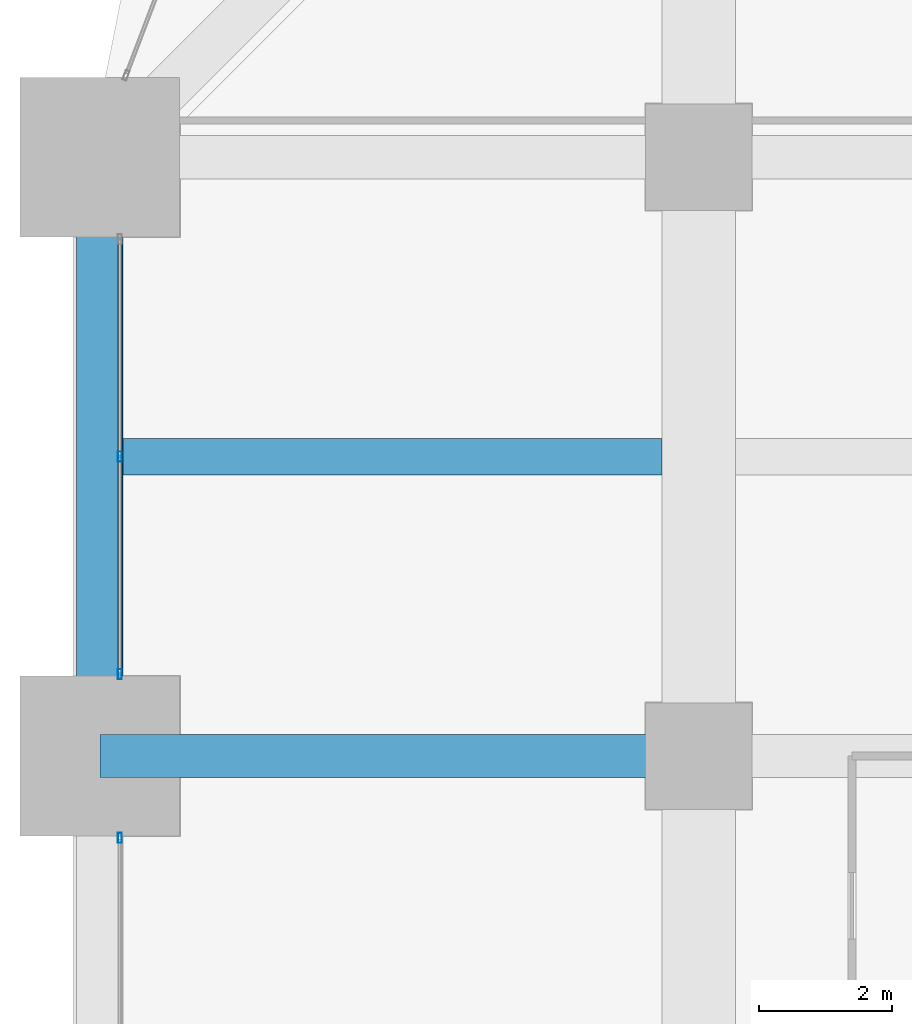
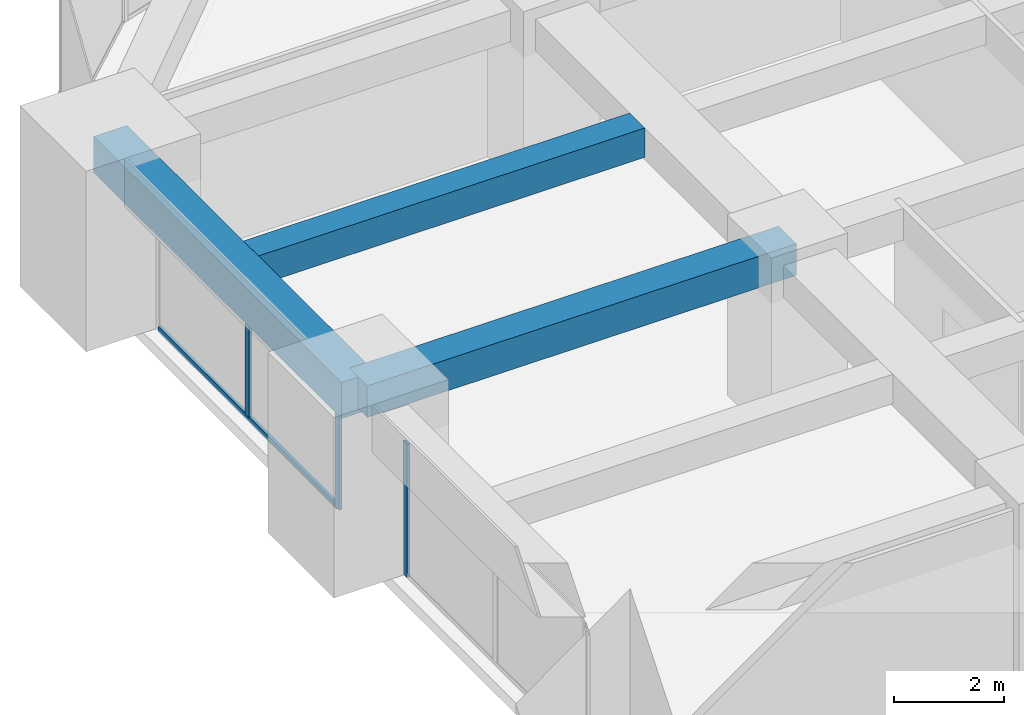
# One storey, part 11 of 33: 4 members, 3 beams, 2 elements without a shape of their own.
"""IFC4 building model written with IfcOpenShell, lengths in metres."""

from ifc_helpers import new_model, si_unit, direction, frame, origin, origin_2d, place, context, subcontext, project, spatial, rectangle, hollow_rectangle, extrude, material, material_profile, profile_set, type_object, element, aggregate, save


model = new_model("IFC4")

# Units and contexts
model_context = context("Model", 3, precision=1e-05, world=origin(), true_north=direction((0.0, 1.0)))
body_context = subcontext(model_context, "Body", "Model", "MODEL_VIEW")
ifc_project = project(units=[si_unit("LENGTHUNIT", "METRE"), si_unit("AREAUNIT", "SQUARE_METRE"), si_unit("VOLUMEUNIT", "CUBIC_METRE"), si_unit("PLANEANGLEUNIT", "RADIAN"), si_unit("MASSUNIT", "GRAM", prefix="KILO")], contexts=[model_context])

# Site, building, storey
site_placement = place(None, origin())
site = spatial("IfcSite", under=ifc_project, at=site_placement, CompositionType="ELEMENT")
building_placement = place(site_placement, origin())
building = spatial("IfcBuilding", under=site, at=building_placement, Name="Zorevar Civic Tower", CompositionType="ELEMENT")
storey_placement = place(building_placement, frame((0.0, 0.0, 178.199951171875)))
storey = spatial("IfcBuildingStorey", under=building, at=storey_placement, Name="L43", CompositionType="ELEMENT", Elevation=178.199951171875)

# Beams
ifc_material_1 = material(Name="Concrete C50/60", Category="concrete")
ifc_material_profile_1 = material_profile(ifc_material_1, rectangle(XDim=0.550048828125, YDim=0.64990234375, at=origin_2d()), Name="RC 550x650")
ifc_profile_set_1 = profile_set([ifc_material_profile_1], Name="Concrete C50/60")
beam_type_1 = type_object("IfcBeamType", Name="Beam RC 550x650", PredefinedType="BEAM", material=ifc_profile_set_1)
beam_1_placement = place(storey_placement, frame((0.35009765625, 31.5, 3.425048828125), z_axis=(1.0, 0.0, 0.0), x_axis=(0.0, 1.0, 0.0)))
element("IfcBeam", 1, at=beam_1_placement, inside=storey, type_object=beam_type_1, Name="Secondary beam L44", PredefinedType="BEAM", context=body_context, shape_type="SweptSolid", body=[
    extrude(rectangle(XDim=0.550048828125, YDim=0.64990234375, at=origin_2d()), origin(), (0.0, 0.0, 1.0), 8.099853515625),
])
ifc_material_2 = material(Name="Concrete C50/60", Category="concrete")
ifc_material_profile_2 = material_profile(ifc_material_2, rectangle(XDim=0.64990234375, YDim=0.699951171875, at=origin_2d()), Name="RC 650x700")
ifc_profile_set_2 = profile_set([ifc_material_profile_2], Name="Concrete C50/60")
beam_type_2 = type_object("IfcBeamType", Name="Beam RC 650x700", PredefinedType="BEAM", material=ifc_profile_set_2)
beam_2_placement = place(storey_placement, frame((0.0, 27.0, 3.400146484375), z_axis=(1.0, 0.0, 0.0), x_axis=(0.0, 1.0, 0.0)))
element("IfcBeam", 2, at=beam_2_placement, inside=storey, type_object=beam_type_2, Name="Girder L44", PredefinedType="BEAM", context=body_context, shape_type="SweptSolid", body=[
    extrude(rectangle(XDim=0.64990234375, YDim=0.699951171875, at=origin_2d()), origin(), (0.0, 0.0, 1.0), 9.0),
])

# Curtain wall, member
ifc_material_3 = material(Name="Dark grey solar-control glass in black aluminium frame", Category="aluminium")
curtain_wall_type = type_object("IfcCurtainWallType", Name="Curtain wall CW4 high zone", PredefinedType="NOTDEFINED", material=ifc_material_3)
curtain_wall_1_placement = place(storey_placement, origin())
curtain_wall_1 = element("IfcCurtainWall", 3, at=curtain_wall_1_placement, inside=storey, type_object=curtain_wall_type, Name="CW4 L43", PredefinedType="NOTDEFINED")
ifc_material_4 = material(Name="Aluminium, black anodised", Category="aluminium")
ifc_material_profile_3 = material_profile(ifc_material_4, hollow_rectangle(XDim=0.06005859375, YDim=0.14990234375, WallThickness=0.00390625, at=origin_2d()), Name="AL 150x60x4")
ifc_profile_set_3 = profile_set([ifc_material_profile_3], Name="Aluminium, black anodised")
member_type_1 = type_object("IfcMemberType", Name="CW4 mullion AL 150x60x4", PredefinedType="MULLION", material=ifc_profile_set_3)
member_1_placement = place(storey_placement, frame((0.300048828125, 25.77001953125, 0.0), z_axis=(0.0, 0.0, 1.0), x_axis=(-1.0, 0.0, 0.0)))
member_1 = element("IfcMember", 4, at=member_1_placement, type_object=member_type_1, Name="CW4 mullion 3", PredefinedType="MULLION", context=body_context, shape_type="SweptSolid", body=[
    extrude(hollow_rectangle(XDim=0.06005859375, YDim=0.14990234375, WallThickness=0.00390625, at=origin_2d()), origin(), (0.0, 0.0, 1.0), 2.949951171875),
])
aggregate(curtain_wall_1, [member_1])

# Curtain wall, members
curtain_wall_2_placement = place(storey_placement, origin())
curtain_wall_2 = element("IfcCurtainWall", 5, at=curtain_wall_2_placement, inside=storey, type_object=curtain_wall_type, Name="CW4 L43", PredefinedType="NOTDEFINED")
member_2_placement = place(storey_placement, frame((0.300048828125, 28.22998046875, 0.0), z_axis=(0.0, 0.0, 1.0), x_axis=(-1.0, 0.0, 0.0)))
member_2 = element("IfcMember", 6, at=member_2_placement, type_object=member_type_1, Name="CW4 mullion 1", PredefinedType="MULLION", context=body_context, shape_type="SweptSolid", body=[
    extrude(hollow_rectangle(XDim=0.06005859375, YDim=0.14990234375, WallThickness=0.00390625, at=origin_2d()), origin(), (0.0, 0.0, 1.0), 2.949951171875),
])
member_3_placement = place(storey_placement, frame((0.300048828125, 31.5, 0.06005859375), z_axis=(0.0, 0.0, 1.0), x_axis=(-1.0, 0.0, 0.0)))
member_3 = element("IfcMember", 7, at=member_3_placement, type_object=member_type_1, Name="CW4 mullion 2", PredefinedType="MULLION", context=body_context, shape_type="SweptSolid", body=[
    extrude(hollow_rectangle(XDim=0.06005859375, YDim=0.14990234375, WallThickness=0.00390625, at=origin_2d()), origin(), (0.0, 0.0, 1.0), 2.889892578125),
])
ifc_material_5 = material(Name="Aluminium, black anodised", Category="aluminium")
ifc_material_profile_4 = material_profile(ifc_material_5, hollow_rectangle(XDim=0.06005859375, YDim=0.1201171875, WallThickness=0.0029296875, at=origin_2d()), Name="AL 120x60x3")
ifc_profile_set_4 = profile_set([ifc_material_profile_4], Name="Aluminium, black anodised")
member_type_2 = type_object("IfcMemberType", Name="CW4 transom AL 120x60x3", PredefinedType="USERDEFINED", material=ifc_profile_set_4)
member_4_placement = place(storey_placement, frame((0.300048828125, 28.260009765625, 0.030029296875), z_axis=(0.0, 1.0, 0.0), x_axis=(-1.0, 0.0, 0.0)))
member_4 = element("IfcMember", 8, at=member_4_placement, type_object=member_type_2, Name="CW4 sill transom", ObjectType="TRANSOM", PredefinedType="USERDEFINED", context=body_context, shape_type="SweptSolid", body=[
    extrude(hollow_rectangle(XDim=0.06005859375, YDim=0.1201171875, WallThickness=0.0029296875, at=origin_2d()), origin(), (0.0, 0.0, 1.0), 6.47998046875),
])
aggregate(curtain_wall_2, [member_2, member_3, member_4])

# Beam
ifc_material_6 = material(Name="Concrete C50/60", Category="concrete")
ifc_material_profile_5 = material_profile(ifc_material_6, rectangle(XDim=0.699951171875, YDim=0.800048828125, at=origin_2d()), Name="RC 700x800")
ifc_profile_set_5 = profile_set([ifc_material_profile_5], Name="Concrete C50/60")
beam_type_3 = type_object("IfcBeamType", Name="Edge beam RC 700x800", PredefinedType="SPANDREL", material=ifc_profile_set_5)
beam_3_placement = place(storey_placement, frame((0.0, 27.0, 3.35009765625), z_axis=(0.0, 1.0, 0.0), x_axis=(-1.0, 0.0, 0.0)))
element("IfcBeam", 9, at=beam_3_placement, inside=storey, type_object=beam_type_3, Name="Edge beam L44", PredefinedType="SPANDREL", context=body_context, shape_type="SweptSolid", body=[
    extrude(rectangle(XDim=0.699951171875, YDim=0.800048828125, at=origin_2d()), origin(), (0.0, 0.0, 1.0), 9.0),
])

save(model, "model.ifc")
